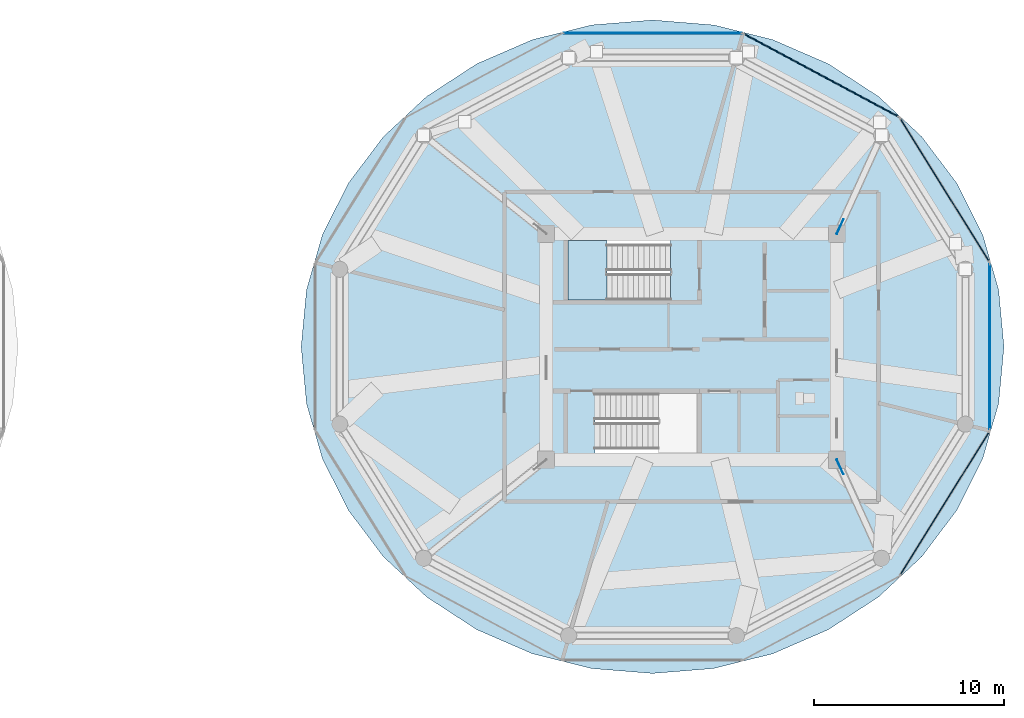
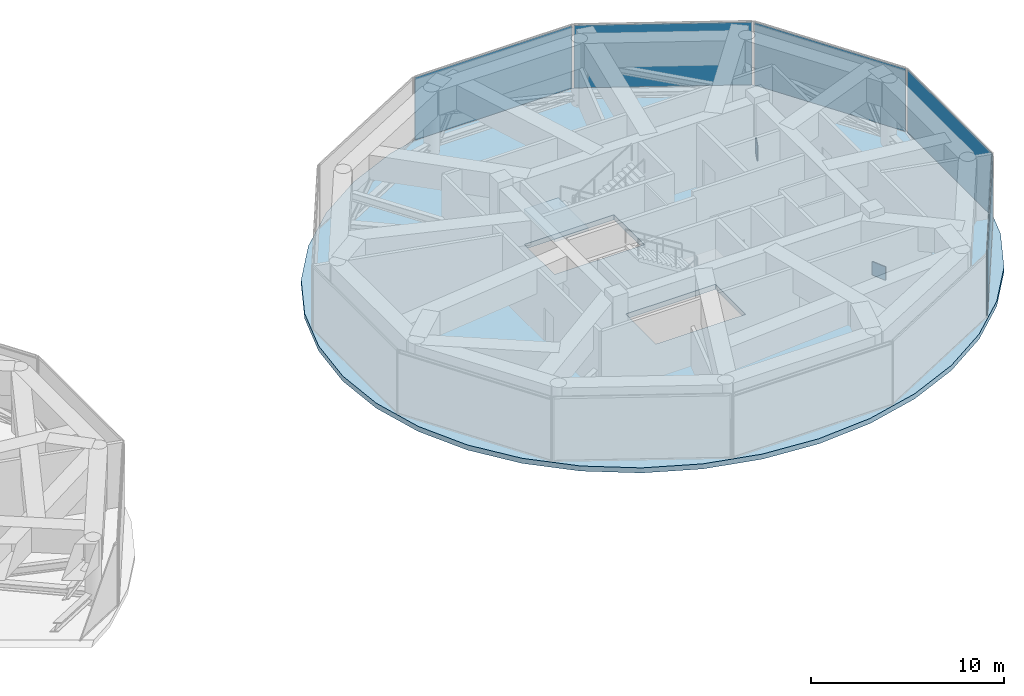
# One storey, part 15 of 23: 7 plates, 2 slabs, 6 elements without a shape of their own.
"""IFC4 building model written with IfcOpenShell, lengths in metres."""

from ifc_helpers import new_model, si_unit, direction, frame, origin, origin_2d, place, context, subcontext, project, spatial, polyline, rectangle, outline, extrude, source, transform, mapped, material, layer, layer_set, type_object, type_shapes, element, aggregate, save


model = new_model("IFC4")

# Units and contexts
model_context = context("Model", 3, precision=1e-05, world=origin(), true_north=direction((0.0, 1.0)))
body_context = subcontext(model_context, "Body", "Model", "MODEL_VIEW")
ifc_project = project(units=[si_unit("LENGTHUNIT", "METRE"), si_unit("AREAUNIT", "SQUARE_METRE"), si_unit("VOLUMEUNIT", "CUBIC_METRE"), si_unit("PLANEANGLEUNIT", "RADIAN"), si_unit("MASSUNIT", "GRAM", prefix="KILO")], contexts=[model_context])

# Site, building, storey
site_placement = place(None, origin())
site = spatial("IfcSite", under=ifc_project, at=site_placement, CompositionType="ELEMENT")
building_placement = place(site_placement, origin())
building = spatial("IfcBuilding", under=site, at=building_placement, Name="Norrkilde Senior Care Towers", CompositionType="ELEMENT")
storey_placement = place(building_placement, frame((0.0, 0.0, 129.800048828125)))
storey = spatial("IfcBuildingStorey", under=building, at=storey_placement, Name="L40", CompositionType="ELEMENT", Elevation=129.800048828125)

# Slab
ifc_material_1 = material(Name="Concrete C50/60", Category="concrete")
ifc_layer_1 = layer(ifc_material_1, 0.320068359375)
ifc_layer_set_1 = layer_set([ifc_layer_1], Name="Concrete C50/60")
slab_type_1 = type_object("IfcSlabType", Name="Podium Clinic Floor Slab 320", PredefinedType="FLOOR", material=ifc_layer_set_1)
slab_1_placement = place(storey_placement, frame((0.0, 0.0, -0.320068359375)))
element("IfcSlab", 1, at=slab_1_placement, inside=storey, type_object=slab_type_1, Name="L40 Drum E Structural Floor Slab", PredefinedType="FLOOR", context=body_context, shape_type="SweptSolid", body=[
    extrude(outline(polyline([(43.334228515625, -5.8828125), (41.971435546875, -8.60009765625), (40.121826171875, -11.055908203125), (37.841552734375, -13.176025390625), (35.199951171875, -14.895751953125), (32.27734375, -16.16259765625), (29.16259765625, -16.938720703125), (25.949951171875, -17.199951171875), (22.737548828125, -16.938720703125), (19.62255859375, -16.16259765625), (16.699951171875, -14.895751953125), (14.058349609375, -13.176025390625), (11.778076171875, -11.055908203125), (9.928466796875, -8.60009765625), (8.565673828125, -5.8828125), (7.73095703125, -2.98681640625), (7.449951171875, 0.0), (7.73095703125, 2.98681640625), (8.565673828125, 5.8828125), (9.928466796875, 8.60009765625), (11.778076171875, 11.055908203125), (14.058349609375, 13.176025390625), (16.699951171875, 14.895751953125), (19.62255859375, 16.16259765625), (22.737548828125, 16.938720703125), (25.949951171875, 17.199951171875), (29.16259765625, 16.938720703125), (32.27734375, 16.16259765625), (35.199951171875, 14.895751953125), (37.841552734375, 13.176025390625), (40.121826171875, 11.055908203125), (41.971435546875, 8.60009765625), (43.334228515625, 5.8828125), (44.1689453125, 2.98681640625), (44.449951171875, 0.0), (44.1689453125, -2.98681640625), (43.334228515625, -5.8828125)]), holes=[polyline([(21.51806640625, 2.468017578125), (26.882080078125, 2.468017578125), (26.882080078125, 5.590087890625), (21.51806640625, 5.590087890625), (21.51806640625, 2.468017578125)]), polyline([(28.281982421875, -5.590087890625), (28.281982421875, -2.468017578125), (22.91796875, -2.468017578125), (22.91796875, -5.590087890625), (28.281982421875, -5.590087890625)])]), origin(), (0.0, 0.0, 1.0), 0.320068359375),
])

# Stair, slab
ifc_material_2 = material(Name="Concrete C45/55", Category="concrete")
stair_type = type_object("IfcStairType", Name="Core Protected Dogleg Stair Refuge 4500", PredefinedType="HALF_TURN_STAIR", material=ifc_material_2)
stair_placement = place(storey_placement, origin())
stair = element("IfcStair", 2, at=stair_placement, inside=storey, type_object=stair_type, Name="L40 Protected Core Stair E1", PredefinedType="HALF_TURN_STAIR")
ifc_layer_2 = layer(ifc_material_2, 0.199951171875)
ifc_layer_set_2 = layer_set([ifc_layer_2], Name="Concrete C45/55")
slab_type_2 = type_object("IfcSlabType", Name="Stair Landing Slab 200", PredefinedType="LANDING", material=ifc_layer_set_2)
slab_2_placement = place(storey_placement, frame((0.0, 0.0, 2.050048828125)))
slab_2 = element("IfcSlab", 3, at=slab_2_placement, type_object=slab_type_2, Name="ST-E1 landing 1", PredefinedType="LANDING", context=body_context, shape_type="SweptSolid", body=[
    extrude(outline(polyline([(23.5400390625, 5.590087890625), (21.5, 5.590087890625), (21.5, 2.449951171875), (23.5400390625, 2.449951171875), (23.5400390625, 5.590087890625)])), origin(), (0.0, 0.0, 1.0), 0.199951171875),
])
aggregate(stair, [slab_2])

# Plates
ifc_material_3 = material(Name="Steel S355", Category="steel")
ifc_layer_3 = layer(ifc_material_3, 0.034912109375)
ifc_layer_set_3 = layer_set([ifc_layer_3], Name="Steel S355")
plate_type_1 = type_object("IfcPlateType", Name="Truss Node Gusset Plate 35", PredefinedType="USERDEFINED", material=ifc_layer_set_3)
shared_shape_1 = source(origin(), body_context, "Body", "SweptSolid", [
    extrude(rectangle(XDim=0.85009765625, YDim=0.034912109375, at=origin_2d()), origin(), (0.0, 0.0, 1.0), 0.85009765625),
])
type_shapes(plate_type_1, [shared_shape_1])
for number, where, z_axis, x_axis, name in (
    (4, (35.819580078125, -6.3232421875, 0.125), (0.0, 0.0, 1.0), (0.413581054412, -0.910467303878, 0.0), "L40 Outrigger Node Assembly ND-2 Gusset Plate"),
    (5, (35.819580078125, 6.3232421875, 0.125), (0.0, 0.0, 1.0), (0.413581054412, 0.910467303878, 0.0), "L40 Outrigger Node Assembly ND-3 Gusset Plate"),
):
    element("IfcPlate", number, at=place(storey_placement, frame(where, z_axis=z_axis, x_axis=x_axis)), inside=storey, type_object=plate_type_1, Name=name, ObjectType="GUSSET_PLATE", PredefinedType="USERDEFINED", context=body_context, shape_type="MappedRepresentation", body=[
        mapped(shared_shape_1, transform((0.0, 0.0, 0.0), x_axis=(1.0, 0.0, 0.0), y_axis=(0.0, 1.0, 0.0), z_axis=(0.0, 0.0, 1.0), scale=1.0)),
    ])

# Curtain wall, plate
ifc_material_4 = material(Name="Triple Low-E Insulated Glazing", Category="glass")
ifc_layer_4 = layer(ifc_material_4, 0.18505859375)
ifc_layer_set_4 = layer_set([ifc_layer_4], Name="Triple Low-E Insulated Glazing")
curtain_wall_type = type_object("IfcCurtainWallType", Name="CW6 Zone 4 Crown Pavilion Curtain Wall", PredefinedType="NOTDEFINED", material=ifc_layer_set_4)
curtain_wall_1_placement = place(storey_placement, origin())
curtain_wall_1 = element("IfcCurtainWall", 6, at=curtain_wall_1_placement, inside=storey, type_object=curtain_wall_type, Name="L40 Drum E Curtain Wall 00", PredefinedType="NOTDEFINED")
ifc_material_5 = material(Name="Architectural Terracotta", Category="masonry")
ifc_layer_5 = layer(ifc_material_5, 0.048095703125)
ifc_layer_set_5 = layer_set([ifc_layer_5], Name="Architectural Terracotta")
plate_type_2 = type_object("IfcPlateType", Name="Insulated Terracotta Spandrel Panel 48", PredefinedType="CURTAIN_PANEL", material=ifc_layer_set_5)
shared_shape_2 = source(origin(), body_context, "Body", "SweptSolid", [
    extrude(rectangle(XDim=8.874267578125, YDim=0.048095703125, at=origin_2d()), origin(), (0.0, 0.0, 1.0), 3.949951171875),
])
plate_1_placement = place(storey_placement, frame((41.3251953125, 8.2490234375, 0.06494140625), z_axis=(0.0, 0.0, 1.0), x_axis=(0.527733228002, -0.849410171862, 0.0)))
plate_1 = element("IfcPlate", 7, at=plate_1_placement, type_object=plate_type_2, Name="CW-6 panel 1.1", PredefinedType="CURTAIN_PANEL", context=body_context, shape_type="MappedRepresentation", body=[
    mapped(shared_shape_2, transform((0.0, 0.0, 0.0), x_axis=(1.0, 0.0, 0.0), y_axis=(0.0, 1.0, 0.0), z_axis=(0.0, 0.0, 1.0), scale=1.0)),
])
aggregate(curtain_wall_1, [plate_1])

curtain_wall_2_placement = place(storey_placement, origin())
curtain_wall_2 = element("IfcCurtainWall", 8, at=curtain_wall_2_placement, inside=storey, type_object=curtain_wall_type, Name="L40 Drum E Curtain Wall 10", PredefinedType="NOTDEFINED")
plate_2_placement = place(storey_placement, frame((41.3251953125, -8.2490234375, 0.06494140625), z_axis=(0.0, 0.0, 1.0), x_axis=(-0.527733228002, -0.849410171862, 0.0)))
plate_2 = element("IfcPlate", 9, at=plate_2_placement, type_object=plate_type_2, Name="CW-6 panel 1.1", PredefinedType="CURTAIN_PANEL", context=body_context, shape_type="MappedRepresentation", body=[
    mapped(shared_shape_2, transform((0.0, 0.0, 0.0), x_axis=(1.0, 0.0, 0.0), y_axis=(0.0, 1.0, 0.0), z_axis=(0.0, 0.0, 1.0), scale=1.0)),
])
aggregate(curtain_wall_2, [plate_2])

curtain_wall_3_placement = place(storey_placement, origin())
curtain_wall_3 = element("IfcCurtainWall", 10, at=curtain_wall_3_placement, inside=storey, type_object=curtain_wall_type, Name="L40 Drum E Curtain Wall 01", PredefinedType="NOTDEFINED")
shared_shape_3 = source(origin(), body_context, "Body", "SweptSolid", [
    extrude(rectangle(XDim=9.21044921875, YDim=0.048095703125, at=origin_2d()), origin(), (0.0, 0.0, 1.0), 3.949951171875),
])
plate_3_placement = place(storey_placement, frame((34.826904296875, 14.28759765625, 0.06494140625), z_axis=(0.0, 0.0, 1.0), x_axis=(0.881186184668, -0.472769402511, 0.0)))
plate_3 = element("IfcPlate", 11, at=plate_3_placement, type_object=plate_type_2, Name="CW-6 panel 1.1", PredefinedType="CURTAIN_PANEL", context=body_context, shape_type="MappedRepresentation", body=[
    mapped(shared_shape_3, transform((0.0, 0.0, 0.0), x_axis=(1.0, 0.0, 0.0), y_axis=(0.0, 1.0, 0.0), z_axis=(0.0, 0.0, 1.0), scale=1.0)),
])
aggregate(curtain_wall_3, [plate_3])

curtain_wall_4_placement = place(storey_placement, origin())
curtain_wall_4 = element("IfcCurtainWall", 12, at=curtain_wall_4_placement, inside=storey, type_object=curtain_wall_type, Name="L40 Drum E Curtain Wall 02", PredefinedType="NOTDEFINED")
shared_shape_4 = source(origin(), body_context, "Body", "SweptSolid", [
    extrude(rectangle(XDim=9.374267578125, YDim=0.048095703125, at=origin_2d()), origin(), (0.0, 0.0, 1.0), 3.949951171875),
])
plate_4_placement = place(storey_placement, frame((25.949951171875, 16.498046875, 0.06494140625), z_axis=(0.0, 0.0, 1.0), x_axis=(1.0, 0.0, 0.0)))
plate_4 = element("IfcPlate", 13, at=plate_4_placement, type_object=plate_type_2, Name="CW-6 panel 1.1", PredefinedType="CURTAIN_PANEL", context=body_context, shape_type="MappedRepresentation", body=[
    mapped(shared_shape_4, transform((0.0, 0.0, 0.0), x_axis=(1.0, 0.0, 0.0), y_axis=(0.0, 1.0, 0.0), z_axis=(0.0, 0.0, 1.0), scale=1.0)),
])
aggregate(curtain_wall_4, [plate_4])

curtain_wall_5_placement = place(storey_placement, origin())
curtain_wall_5 = element("IfcCurtainWall", 14, at=curtain_wall_5_placement, inside=storey, type_object=curtain_wall_type, Name="L40 Drum E Curtain Wall 11", PredefinedType="NOTDEFINED")
shared_shape_5 = source(origin(), body_context, "Body", "SweptSolid", [
    extrude(rectangle(XDim=8.701171875, YDim=0.048095703125, at=origin_2d()), origin(), (0.0, 0.0, 1.0), 3.949951171875),
])
type_shapes(plate_type_2, [shared_shape_2, shared_shape_3, shared_shape_4, shared_shape_5])
plate_5_placement = place(storey_placement, frame((43.70361328125, 0.0, 0.06494140625), z_axis=(0.0, 0.0, 1.0), x_axis=(0.0, -1.0, 0.0)))
plate_5 = element("IfcPlate", 15, at=plate_5_placement, type_object=plate_type_2, Name="CW-6 panel 1.1", PredefinedType="CURTAIN_PANEL", context=body_context, shape_type="MappedRepresentation", body=[
    mapped(shared_shape_5, transform((0.0, 0.0, 0.0), x_axis=(1.0, 0.0, 0.0), y_axis=(0.0, 1.0, 0.0), z_axis=(0.0, 0.0, 1.0), scale=1.0)),
])
aggregate(curtain_wall_5, [plate_5])

save(model, "model.ifc")
